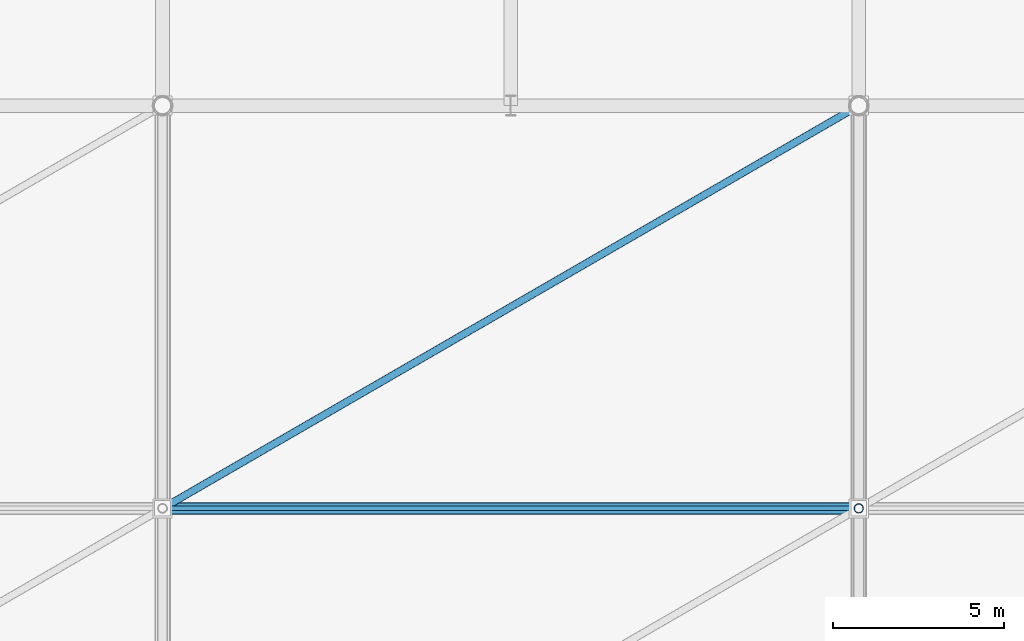
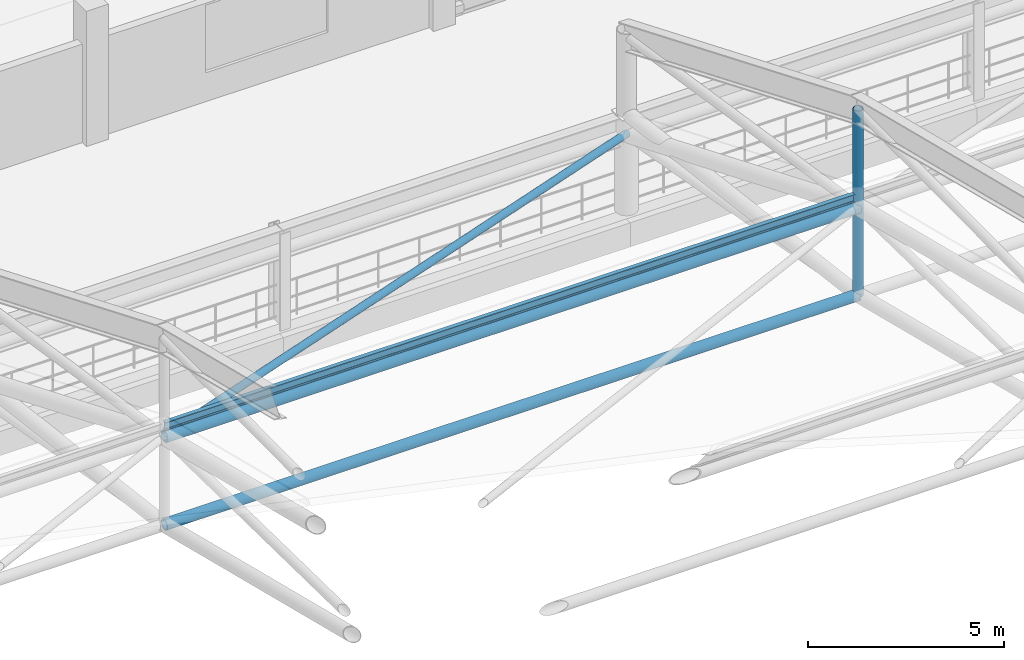
# One storey, part 39 of 135: 6 members.
"""IFC4 building model written with IfcOpenShell, lengths in metres."""

from ifc_helpers import new_model, si_unit, direction, frame, origin, origin_2d, place, context, subcontext, project, spatial, hollow_circle, i_section, extrude, material, material_profile, profile_set, type_object, element, save


model = new_model("IFC4")

# Units and contexts
model_context = context("Model", 3, precision=1e-05, world=origin(), true_north=direction((0.0, 1.0)))
body_context = subcontext(model_context, "Body", "Model", "MODEL_VIEW")
ifc_project = project(units=[si_unit("LENGTHUNIT", "METRE"), si_unit("AREAUNIT", "SQUARE_METRE"), si_unit("VOLUMEUNIT", "CUBIC_METRE"), si_unit("PLANEANGLEUNIT", "RADIAN"), si_unit("MASSUNIT", "GRAM", prefix="KILO")], contexts=[model_context])

# Site, building, storey
site_placement = place(None, origin())
site = spatial("IfcSite", under=ifc_project, at=site_placement, CompositionType="ELEMENT")
building_placement = place(site_placement, origin())
building = spatial("IfcBuilding", under=site, at=building_placement, Name="Brelvane Convention Centre", CompositionType="ELEMENT")
storey_placement = place(building_placement, frame((0.0, 0.0, 15.0)))
storey = spatial("IfcBuildingStorey", under=building, at=storey_placement, Name="L03", CompositionType="ELEMENT", Elevation=15.0)

# Members
ifc_material_1 = material(Name="Steel E350 (350 MPa)", Category="steel")
ifc_material_profile_1 = material_profile(ifc_material_1, hollow_circle(Radius=0.109619140625, WallThickness=0.010009765625, at=origin_2d()), Name="CHS 219.1x10.0")
ifc_profile_set_1 = profile_set([ifc_material_profile_1], Name="Steel E350 (350 MPa)")
member_type_1 = type_object("IfcMemberType", Name="Steel Brace SF-DG2 (CHS 219.1x10.0)", PredefinedType="BRACE", material=ifc_profile_set_1)
member_1_placement = place(storey_placement, frame((61.199951171875, 87.800048828125, 7.22900390625), z_axis=(0.847575290674, 0.490262647041, -0.203122287195), x_axis=(-0.500700562715, 0.865620555727, 0.0)))
element("IfcMember", 1, at=member_1_placement, inside=storey, type_object=member_type_1, Name="SF_EXH Roof Diaphragm Brace PB4.6", PredefinedType="BRACE", context=body_context, shape_type="SweptSolid", body=[
    extrude(hollow_circle(Radius=0.109619140625, WallThickness=0.010009765625, at=origin_2d()), origin(), (0.0, 0.0, 1.0), 24.06884765625),
])
ifc_material_2 = material(Name="Steel E350 (350 MPa)", Category="steel")
ifc_material_profile_2 = material_profile(ifc_material_2, hollow_circle(Radius=0.161865234375, WallThickness=0.012451171875, at=origin_2d()), Name="CHS 323.9x12.5")
ifc_profile_set_2 = profile_set([ifc_material_profile_2], Name="Steel E350 (350 MPa)")
member_type_2 = type_object("IfcMemberType", Name="Steel Chord SF-BC2 (CHS 323.9x12.5)", PredefinedType="CHORD", material=ifc_profile_set_2)
member_2_placement = place(storey_placement, frame((61.199951171875, 87.800048828125, 4.489013671875), z_axis=(1.0, 0.0, 0.0), x_axis=(0.0, 1.0, 0.0)))
element("IfcMember", 2, at=member_2_placement, inside=storey, type_object=member_type_2, Name="SF_EXH Longitudinal Bottom Chord LB4.6", PredefinedType="CHORD", context=body_context, shape_type="SweptSolid", body=[
    extrude(hollow_circle(Radius=0.161865234375, WallThickness=0.012451171875, at=origin_2d()), origin(), (0.0, 0.0, 1.0), 20.400146484375),
])
ifc_material_3 = material(Name="Steel E450 (450 MPa)", Category="steel")
ifc_material_profile_3 = material_profile(ifc_material_3, hollow_circle(Radius=0.177734375, WallThickness=0.01611328125, at=origin_2d()), Name="CHS 355.6x16.0")
ifc_profile_set_3 = profile_set([ifc_material_profile_3], Name="Steel E450 (450 MPa)")
member_type_3 = type_object("IfcMemberType", Name="Steel Chord SF-TC2 (CHS 355.6x16.0)", PredefinedType="CHORD", material=ifc_profile_set_3)
member_3_placement = place(storey_placement, frame((61.199951171875, 87.800048828125, 7.22900390625), z_axis=(1.0, 0.0, 0.0), x_axis=(0.0, 1.0, 0.0)))
element("IfcMember", 3, at=member_3_placement, inside=storey, type_object=member_type_3, Name="SF_EXH Longitudinal Top Chord LT4.6", PredefinedType="CHORD", context=body_context, shape_type="SweptSolid", body=[
    extrude(hollow_circle(Radius=0.177734375, WallThickness=0.01611328125, at=origin_2d()), origin(), (0.0, 0.0, 1.0), 20.400146484375),
])
ifc_material_4 = material(Name="Steel E350 (350 MPa)", Category="steel")
ifc_material_profile_4 = material_profile(ifc_material_4, i_section(OverallWidth=0.125, OverallDepth=0.25, WebThickness=0.0068359375, FlangeThickness=0.012451171875, FilletRadius=0.012939453125, at=origin_2d()), Name="ISMB 250")
ifc_profile_set_4 = profile_set([ifc_material_profile_4], Name="Steel E350 (350 MPa)")
member_type_4 = type_object("IfcMemberType", Name="Steel Purlin PR-ST1 (ISMB 250)", PredefinedType="PURLIN", material=ifc_profile_set_4)
member_4_placement = place(storey_placement, frame((61.199951171875, 87.800048828125, 7.56396484375), z_axis=(1.0, 0.0, 0.0), x_axis=(0.0, 1.0, 0.0)))
element("IfcMember", 4, at=member_4_placement, inside=storey, type_object=member_type_4, Name="SF_EXH Roof Purlin P4.6", PredefinedType="PURLIN", context=body_context, shape_type="SweptSolid", body=[
    extrude(i_section(OverallWidth=0.125, OverallDepth=0.25, WebThickness=0.0068359375, FlangeThickness=0.012451171875, FilletRadius=0.012939453125, at=origin_2d()), origin(), (0.0, 0.0, 1.0), 20.400146484375),
])
ifc_material_5 = material(Name="Steel E350 (350 MPa)", Category="steel")
ifc_material_profile_5 = material_profile(ifc_material_5, hollow_circle(Radius=0.136474609375, WallThickness=0.012451171875, at=origin_2d()), Name="CHS 273.0x12.5")
ifc_profile_set_5 = profile_set([ifc_material_profile_5], Name="Steel E350 (350 MPa)")
member_type_5 = type_object("IfcMemberType", Name="Steel Strut SF-VT1 (CHS 273.0x12.5)", PredefinedType="STRUT", material=ifc_profile_set_5)
member_5_placement = place(storey_placement, frame((81.60009765625, 87.800048828125, 4.489013671875), z_axis=(0.0, 0.0, 1.0), x_axis=(1.0, 0.0, 0.0)))
element("IfcMember", 5, at=member_5_placement, inside=storey, type_object=member_type_5, Name="SF_EXH Space-Frame Post V5.5", PredefinedType="STRUT", context=body_context, shape_type="SweptSolid", body=[
    extrude(hollow_circle(Radius=0.136474609375, WallThickness=0.012451171875, at=origin_2d()), origin(), (0.0, 0.0, 1.0), 2.739990234375),
])
member_6_placement = place(storey_placement, frame((81.60009765625, 87.800048828125, 7.22900390625), z_axis=(0.0, 0.0, 1.0), x_axis=(1.0, 0.0, 0.0)))
element("IfcMember", 6, at=member_6_placement, inside=storey, type_object=member_type_5, Name="EXO_EXH Roof Suspension Hanger 5.5", PredefinedType="STRUT", context=body_context, shape_type="SweptSolid", body=[
    extrude(hollow_circle(Radius=0.136474609375, WallThickness=0.012451171875, at=origin_2d()), origin(), (0.0, 0.0, 1.0), 3.059814453125),
])

save(model, "model.ifc")
